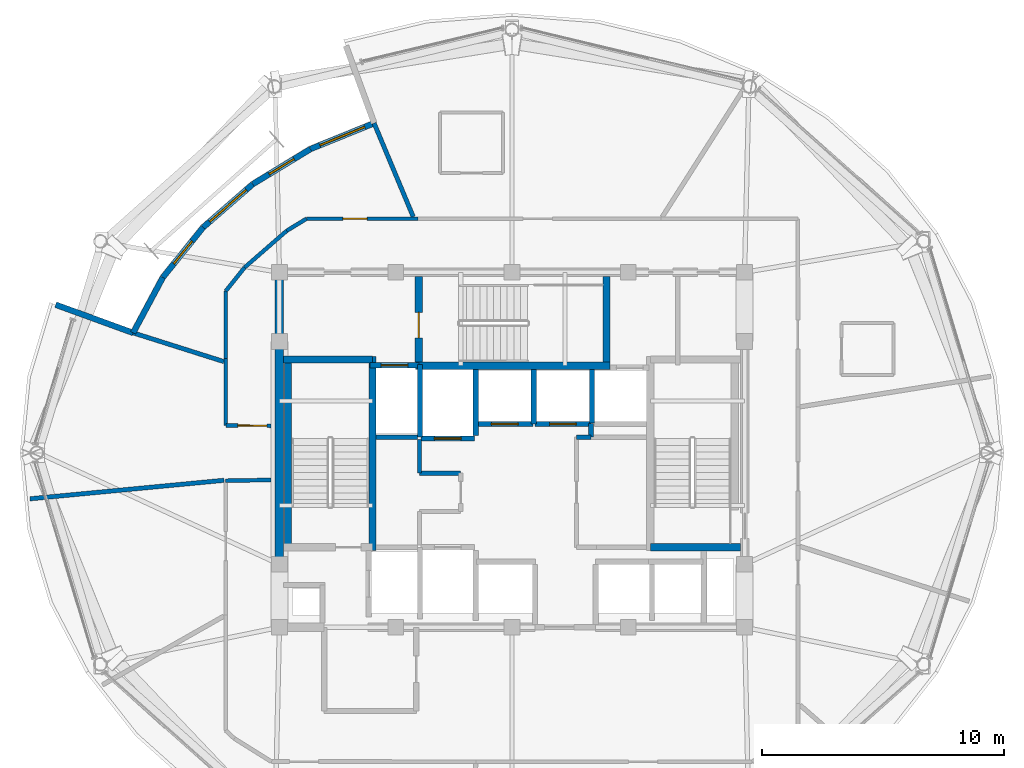
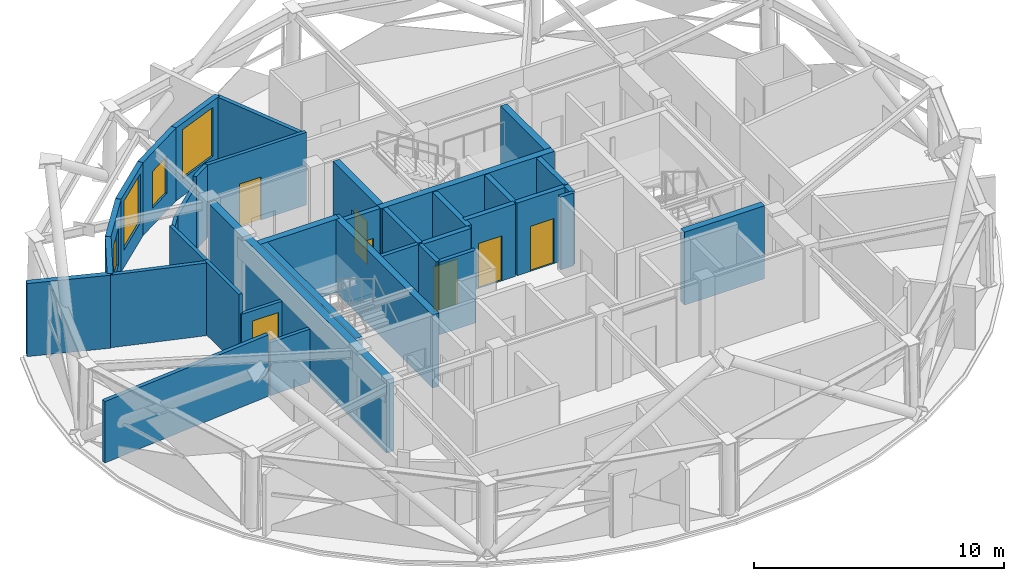
# One storey, part 9 of 15: 38 walls, 7 doors, 4 windows, 11 openings.
"""IFC4 building model written with IfcOpenShell, lengths in metres."""

from ifc_helpers import new_model, si_unit, direction, frame, frame_2d, origin, place, context, subcontext, project, spatial, rectangle, extrude, material, layer, layer_set, type_object, element, fill, save


model = new_model("IFC4")

# Units and contexts
model_context = context("Model", 3, precision=1e-05, world=origin(), true_north=direction((0.0, 1.0)))
body_context = subcontext(model_context, "Body", "Model", "MODEL_VIEW")
ifc_project = project(units=[si_unit("LENGTHUNIT", "METRE"), si_unit("AREAUNIT", "SQUARE_METRE"), si_unit("VOLUMEUNIT", "CUBIC_METRE"), si_unit("PLANEANGLEUNIT", "RADIAN"), si_unit("MASSUNIT", "GRAM", prefix="KILO")], contexts=[model_context])

# Site, building, storey
site_placement = place(None, origin())
site = spatial("IfcSite", under=ifc_project, at=site_placement, CompositionType="ELEMENT")
building_placement = place(site_placement, origin())
building = spatial("IfcBuilding", under=site, at=building_placement, Name="Vantalir Tower", CompositionType="ELEMENT")
storey_placement = place(building_placement, frame((0.0, 0.0, 275.10009765625)))
storey = spatial("IfcBuildingStorey", under=building, at=storey_placement, Name="L69", CompositionType="ELEMENT", Elevation=275.10009765625)

# Wall
ifc_material_1 = material(Name="Concrete C50/60", Category="concrete")
ifc_layer_1 = layer(ifc_material_1, 0.35009765625)
ifc_layer_set_1 = layer_set([ifc_layer_1], Name="Concrete C50/60")
wall_type_1 = type_object("IfcWallType", Name="WL-CORE-350", PredefinedType="SHEAR", material=ifc_layer_set_1)
wall_1_placement = place(storey_placement, frame((21.89990234375, 17.97509765625, 0.0), z_axis=(0.0, 0.0, 1.0), x_axis=(0.0, 1.0, 0.0)))
element("IfcWall", 1, at=wall_1_placement, inside=storey, type_object=wall_type_1, Name="L69 Core Shear Wall West", PredefinedType="SHEAR", context=body_context, shape_type="SweptSolid", body=[
    extrude(rectangle(XDim=14.2998046875, YDim=0.35009765625, at=frame_2d((7.14990234375, 0.0))), origin(), (0.0, 0.0, 1.0), 3.56982421875),
])

# Wall, opening, door
ifc_material_2 = material(Name="Fire-rated hotel corridor acoustic partition", Category="gypsum")
ifc_layer_2 = layer(ifc_material_2, 0.159912109375)
ifc_layer_set_2 = layer_set([ifc_layer_2], Name="Fire-rated hotel corridor acoustic partition")
wall_type_2 = type_object("IfcWallType", Name="WL-CORR-160", PredefinedType="PARTITIONING", material=ifc_layer_set_2)
wall_2_placement = place(storey_placement, frame((21.544921875, 26.115966796875, 0.0), z_axis=(0.0, 0.0, 1.0), x_axis=(-0.999947421001, 0.010254522592, 0.0)))
wall_2 = element("IfcWall", 2, at=wall_2_placement, inside=storey, type_object=wall_type_2, Name="L69 Corridor Partition 01", PredefinedType="PARTITIONING", context=body_context, shape_type="SweptSolid", body=[
    extrude(rectangle(XDim=1.85693359375, YDim=0.159912109375, at=frame_2d((0.928466796875, 0.0))), origin(), (0.0, 0.0, 1.0), 2.594970703125),
])
opening_1_placement = place(wall_2_placement, frame((0.159912109375, 0.0, 0.0)))
opening_1 = element("IfcOpeningElement", 3, at=opening_1_placement, cuts=wall_2, Name="Opening D-STE", PredefinedType="OPENING", context=body_context, shape_type="SweptSolid", body=[
    extrude(rectangle(XDim=1.199951171875, YDim=2.10009765625, at=frame_2d((0.60009765625, 1.050048828125))), frame((0.0, 0.08984375, 0.0), z_axis=(0.0, -1.0, 0.0), x_axis=(1.0, 0.0, 0.0)), (0.0, 0.0, 1.0), 0.179931640625),
])
ifc_material_3 = material(Name="Solid-core teak veneer suite entrance door", Category="wood")
door_type_1 = type_object("IfcDoorType", Name="DR-SUITE-ENTRY-1200", OperationType="NOTDEFINED", PredefinedType="DOOR", material=ifc_material_3)
door_1_placement = place(opening_1_placement, origin())
door_1 = element("IfcDoor", 4, at=door_1_placement, inside=storey, type_object=door_type_1, Name="L69 Club Reading Lounge 04 Door", OperationType="SINGLE_SWING_RIGHT", OverallHeight=2.10009765625, OverallWidth=1.199951171875, PredefinedType="DOOR", context=body_context, shape_type="SweptSolid", body=[
    extrude(rectangle(XDim=1.199951171875, YDim=2.10009765625, at=frame_2d((0.60009765625, 1.050048828125))), frame((0.0, 0.02490234375, 0.0), z_axis=(0.0, -1.0, 0.0), x_axis=(1.0, 0.0, 0.0)), (0.0, 0.0, 1.0), 0.050048828125),
])
fill(opening_1, door_1)

# Walls
wall_3_placement = place(storey_placement, frame((19.68798828125, 26.135009765625, 0.0), z_axis=(0.0, 0.0, 1.0), x_axis=(-0.000353325656, 0.99999993758, 0.0)))
element("IfcWall", 5, at=wall_3_placement, inside=storey, type_object=wall_type_2, Name="L69 Corridor Partition 02", PredefinedType="PARTITIONING", context=body_context, shape_type="SweptSolid", body=[
    extrude(rectangle(XDim=2.763916015625, YDim=0.159912109375, at=frame_2d((1.3818359375, 0.0))), origin(), (0.0, 0.0, 1.0), 3.5498046875),
])
wall_4_placement = place(storey_placement, frame((19.68701171875, 28.89892578125, 0.0), z_axis=(0.0, 0.0, 1.0), x_axis=(-0.00035164833, 0.999999938172, 0.0)))
element("IfcWall", 6, at=wall_4_placement, inside=storey, type_object=wall_type_2, Name="L69 Corridor Partition 03", PredefinedType="PARTITIONING", context=body_context, shape_type="SweptSolid", body=[
    extrude(rectangle(XDim=2.777099609375, YDim=0.159912109375, at=frame_2d((1.388671875, 0.0))), origin(), (0.0, 0.0, 1.0), 3.5498046875),
])
wall_5_placement = place(storey_placement, frame((19.68603515625, 31.676025390625, 0.0), z_axis=(0.0, 0.0, 1.0), x_axis=(0.623812554347, 0.781573986926, 0.0)))
element("IfcWall", 7, at=wall_5_placement, inside=storey, type_object=wall_type_2, Name="L69 Corridor Partition 04", PredefinedType="PARTITIONING", context=body_context, shape_type="SweptSolid", body=[
    extrude(rectangle(XDim=1.248779296875, YDim=0.159912109375, at=frame_2d((0.62451171875, 0.0))), origin(), (0.0, 0.0, 1.0), 3.1318359375),
])
wall_6_placement = place(storey_placement, frame((20.465087890625, 32.652099609375, 0.0), z_axis=(0.0, 0.0, 1.0), x_axis=(0.754005434477, 0.65686817915, 0.0)))
element("IfcWall", 8, at=wall_6_placement, inside=storey, type_object=wall_type_2, Name="L69 Corridor Partition 05", PredefinedType="PARTITIONING", context=body_context, shape_type="SweptSolid", body=[
    extrude(rectangle(XDim=2.3046875, YDim=0.159912109375, at=frame_2d((1.15234375, 0.0))), origin(), (0.0, 0.0, 1.0), 3.1318359375),
])
wall_7_placement = place(storey_placement, frame((22.202880859375, 34.166015625, 0.0), z_axis=(0.0, 0.0, 1.0), x_axis=(0.853971019055, 0.52032057293, 0.0)))
element("IfcWall", 9, at=wall_7_placement, inside=storey, type_object=wall_type_2, Name="L69 Corridor Partition 06", PredefinedType="PARTITIONING", context=body_context, shape_type="SweptSolid", body=[
    extrude(rectangle(XDim=0.953369140625, YDim=0.159912109375, at=frame_2d((0.4765625, 0.0))), origin(), (0.0, 0.0, 1.0), 3.5498046875),
])

# Wall, opening, door
wall_8_placement = place(storey_placement, frame((23.01708984375, 34.662109375, 0.0), z_axis=(0.0, 0.0, 1.0), x_axis=(1.0, 0.0, 0.0)))
wall_8 = element("IfcWall", 10, at=wall_8_placement, inside=storey, type_object=wall_type_2, Name="L69 Corridor Partition 07", PredefinedType="PARTITIONING", context=body_context, shape_type="SweptSolid", body=[
    extrude(rectangle(XDim=4.60498046875, YDim=0.159912109375, at=frame_2d((2.302490234375, 0.0))), origin(), (0.0, 0.0, 1.0), 3.5498046875),
])
opening_2_placement = place(wall_8_placement, frame((1.50390625, 0.0, 0.0)))
opening_2 = element("IfcOpeningElement", 11, at=opening_2_placement, cuts=wall_8, Name="Opening D-GUEST", PredefinedType="OPENING", context=body_context, shape_type="SweptSolid", body=[
    extrude(rectangle(XDim=1.0, YDim=2.10009765625, at=frame_2d((0.5, 1.050048828125))), frame((0.0, 0.08984375, 0.0), z_axis=(0.0, -1.0, 0.0), x_axis=(1.0, 0.0, 0.0)), (0.0, 0.0, 1.0), 0.179931640625),
])
ifc_material_4 = material(Name="Solid-core teak veneer acoustic fire door", Category="wood")
door_type_2 = type_object("IfcDoorType", Name="DR-GUEST-ENTRY-1000", OperationType="NOTDEFINED", PredefinedType="DOOR", material=ifc_material_4)
door_2_placement = place(opening_2_placement, origin())
door_2 = element("IfcDoor", 12, at=door_2_placement, inside=storey, type_object=door_type_2, Name="L69 Sky Garden Conservatory Lounge 03 Door", OperationType="SINGLE_SWING_LEFT", OverallHeight=2.10009765625, OverallWidth=1.0, PredefinedType="DOOR", context=body_context, shape_type="SweptSolid", body=[
    extrude(rectangle(XDim=1.0, YDim=2.10009765625, at=frame_2d((0.5, 1.050048828125))), frame((0.0, 0.02490234375, 0.0), z_axis=(0.0, -1.0, 0.0), x_axis=(1.0, 0.0, 0.0)), (0.0, 0.0, 1.0), 0.050048828125),
])
fill(opening_2, door_2)

# Walls
wall_9_placement = place(storey_placement, frame((19.68505859375, 23.85009765625, 0.0), z_axis=(0.0, 0.0, 1.0), x_axis=(0.999852179606, 0.017193572529, 0.0)))
element("IfcWall", 13, at=wall_9_placement, inside=storey, type_object=wall_type_2, Name="L69 Corridor Partition 22", PredefinedType="PARTITIONING", context=body_context, shape_type="SweptSolid", body=[
    extrude(rectangle(XDim=1.860107421875, YDim=0.159912109375, at=frame_2d((0.93017578125, 0.0))), origin(), (0.0, 0.0, 1.0), 2.594970703125),
])
ifc_material_5 = material(Name="Precast concrete C40/50 insulated sky-garden wall", Category="concrete")
ifc_layer_3 = layer(ifc_material_5, 0.239990234375)
ifc_layer_set_3 = layer_set([ifc_layer_3], Name="Precast concrete C40/50 insulated sky-garden wall")
wall_type_3 = type_object("IfcWallType", Name="WL-EXT-SG-240", PredefinedType="SOLIDWALL", material=ifc_layer_set_3)
wall_10_placement = place(storey_placement, frame((15.864013671875, 29.951904296875, 0.0), z_axis=(0.0, 0.0, 1.0), x_axis=(-0.939675968745, 0.342065890968, 0.0)))
element("IfcWall", 14, at=wall_10_placement, inside=storey, type_object=wall_type_3, Name="L69 SG4 Sky-Garden Return Wall B", PredefinedType="SOLIDWALL", context=body_context, shape_type="SweptSolid", body=[
    extrude(rectangle(XDim=3.400146484375, YDim=0.239990234375, at=frame_2d((1.7001953125, 0.0))), origin(), (0.0, 0.0, 1.0), 3.56982421875),
])

# Wall, opening, window
wall_11_placement = place(storey_placement, frame((25.80908203125, 38.60498046875, 0.0), z_axis=(0.0, 0.0, 1.0), x_axis=(-0.926613712396, -0.376014664608, 0.0)))
wall_11 = element("IfcWall", 15, at=wall_11_placement, inside=storey, type_object=wall_type_3, Name="L69 SG4 Sky-Garden Lounge Wall 1", PredefinedType="SOLIDWALL", context=body_context, shape_type="SweptSolid", body=[
    extrude(rectangle(XDim=2.83740234375, YDim=0.239990234375, at=frame_2d((1.418701171875, 0.0))), origin(), (0.0, 0.0, 1.0), 3.56982421875),
])
opening_3_placement = place(wall_11_placement, frame((0.4189453125, 0.0, 0.85009765625)))
opening_3 = element("IfcOpeningElement", 16, at=opening_3_placement, cuts=wall_11, Name="Opening WN-3", PredefinedType="OPENING", context=body_context, shape_type="SweptSolid", body=[
    extrude(rectangle(XDim=2.0, YDim=2.39990234375, at=frame_2d((1.0, 1.199951171875))), frame((0.0, 0.1298828125, 0.0), z_axis=(0.0, -1.0, 0.0), x_axis=(1.0, 0.0, 0.0)), (0.0, 0.0, 1.0), 0.260009765625),
])
ifc_material_6 = material(Name="Double-silver Low-E sky-garden lounge window", Category="glass")
window_type_1 = type_object("IfcWindowType", Name="WIN-SG-2000x2400", PartitioningType="SINGLE_PANEL", PredefinedType="WINDOW", material=ifc_material_6)
window_1_placement = place(opening_3_placement, origin())
window_1 = element("IfcWindow", 17, at=window_1_placement, inside=storey, type_object=window_type_1, Name="L69 SG4 Sky-Garden Window 1", OverallHeight=2.39990234375, OverallWidth=2.0, PartitioningType="SINGLE_PANEL", PredefinedType="WINDOW", context=body_context, shape_type="SweptSolid", body=[
    extrude(rectangle(XDim=2.0, YDim=2.39990234375, at=frame_2d((1.0, 1.199951171875))), frame((0.0, 0.030029296875, 0.0), z_axis=(0.0, -1.0, 0.0), x_axis=(1.0, 0.0, 0.0)), (0.0, 0.0, 1.0), 0.06005859375),
])
fill(opening_3, window_1)

wall_12_placement = place(storey_placement, frame((23.179931640625, 37.5380859375, 0.0), z_axis=(0.0, 0.0, 1.0), x_axis=(-0.854074820895, -0.520150170925, 0.0)))
wall_12 = element("IfcWall", 18, at=wall_12_placement, inside=storey, type_object=wall_type_3, Name="L69 SG4 Sky-Garden Lounge Wall 2", PredefinedType="SOLIDWALL", context=body_context, shape_type="SweptSolid", body=[
    extrude(rectangle(XDim=2.781982421875, YDim=0.239990234375, at=frame_2d((1.39111328125, 0.0))), origin(), (0.0, 0.0, 1.0), 3.56982421875),
])
opening_4_placement = place(wall_12_placement, frame((0.791015625, 0.0, 0.85009765625)))
opening_4 = element("IfcOpeningElement", 19, at=opening_4_placement, cuts=wall_12, Name="Opening WN-4", PredefinedType="OPENING", context=body_context, shape_type="SweptSolid", body=[
    extrude(rectangle(XDim=1.199951171875, YDim=1.800048828125, at=frame_2d((0.60009765625, 0.89990234375))), frame((0.0, 0.1298828125, 0.0), z_axis=(0.0, -1.0, 0.0), x_axis=(1.0, 0.0, 0.0)), (0.0, 0.0, 1.0), 0.260009765625),
])
ifc_material_7 = material(Name="Operable smoke-vent Low-E window", Category="glass")
window_type_2 = type_object("IfcWindowType", Name="WIN-SG-1200x1800", PartitioningType="SINGLE_PANEL", PredefinedType="WINDOW", material=ifc_material_7)
window_2_placement = place(opening_4_placement, origin())
window_2 = element("IfcWindow", 20, at=window_2_placement, inside=storey, type_object=window_type_2, Name="L69 SG4 Sky-Garden Window 2", OverallHeight=1.800048828125, OverallWidth=1.199951171875, PartitioningType="SINGLE_PANEL", PredefinedType="WINDOW", context=body_context, shape_type="SweptSolid", body=[
    extrude(rectangle(XDim=1.199951171875, YDim=1.800048828125, at=frame_2d((0.60009765625, 0.89990234375))), frame((0.0, 0.030029296875, 0.0), z_axis=(0.0, -1.0, 0.0), x_axis=(1.0, 0.0, 0.0)), (0.0, 0.0, 1.0), 0.06005859375),
])
fill(opening_4, window_2)

wall_13_placement = place(storey_placement, frame((20.803955078125, 36.091064453125, 0.0), z_axis=(0.0, 0.0, 1.0), x_axis=(-0.754303896014, -0.656525424075, 0.0)))
wall_13 = element("IfcWall", 21, at=wall_13_placement, inside=storey, type_object=wall_type_3, Name="L69 SG4 Sky-Garden Lounge Wall 3", PredefinedType="SOLIDWALL", context=body_context, shape_type="SweptSolid", body=[
    extrude(rectangle(XDim=2.718994140625, YDim=0.239990234375, at=frame_2d((1.359375, 0.0))), origin(), (0.0, 0.0, 1.0), 3.56982421875),
])
opening_5_placement = place(wall_13_placement, frame((0.35888671875, 0.0, 0.85009765625)))
opening_5 = element("IfcOpeningElement", 22, at=opening_5_placement, cuts=wall_13, Name="Opening WN-3", PredefinedType="OPENING", context=body_context, shape_type="SweptSolid", body=[
    extrude(rectangle(XDim=2.0, YDim=2.39990234375, at=frame_2d((1.0, 1.199951171875))), frame((0.0, 0.1298828125, 0.0), z_axis=(0.0, -1.0, 0.0), x_axis=(1.0, 0.0, 0.0)), (0.0, 0.0, 1.0), 0.260009765625),
])
window_3_placement = place(opening_5_placement, origin())
window_3 = element("IfcWindow", 23, at=window_3_placement, inside=storey, type_object=window_type_1, Name="L69 SG4 Sky-Garden Window 3", OverallHeight=2.39990234375, OverallWidth=2.0, PartitioningType="SINGLE_PANEL", PredefinedType="WINDOW", context=body_context, shape_type="SweptSolid", body=[
    extrude(rectangle(XDim=2.0, YDim=2.39990234375, at=frame_2d((1.0, 1.199951171875))), frame((0.0, 0.030029296875, 0.0), z_axis=(0.0, -1.0, 0.0), x_axis=(1.0, 0.0, 0.0)), (0.0, 0.0, 1.0), 0.06005859375),
])
fill(opening_5, window_3)

wall_14_placement = place(storey_placement, frame((18.7529296875, 34.305908203125, 0.0), z_axis=(0.0, 0.0, 1.0), x_axis=(-0.627059794428, -0.778971125403, 0.0)))
wall_14 = element("IfcWall", 24, at=wall_14_placement, inside=storey, type_object=wall_type_3, Name="L69 SG4 Sky-Garden Lounge Wall 4", PredefinedType="SOLIDWALL", context=body_context, shape_type="SweptSolid", body=[
    extrude(rectangle(XDim=2.6533203125, YDim=0.239990234375, at=frame_2d((1.32666015625, 0.0))), origin(), (0.0, 0.0, 1.0), 3.56982421875),
])
opening_6_placement = place(wall_14_placement, frame((0.72705078125, 0.0, 0.85009765625)))
opening_6 = element("IfcOpeningElement", 25, at=opening_6_placement, cuts=wall_14, Name="Opening WN-4", PredefinedType="OPENING", context=body_context, shape_type="SweptSolid", body=[
    extrude(rectangle(XDim=1.199951171875, YDim=1.800048828125, at=frame_2d((0.60009765625, 0.89990234375))), frame((0.0, 0.1298828125, 0.0), z_axis=(0.0, -1.0, 0.0), x_axis=(1.0, 0.0, 0.0)), (0.0, 0.0, 1.0), 0.260009765625),
])
window_4_placement = place(opening_6_placement, origin())
window_4 = element("IfcWindow", 26, at=window_4_placement, inside=storey, type_object=window_type_2, Name="L69 SG4 Sky-Garden Window 4", OverallHeight=1.800048828125, OverallWidth=1.199951171875, PartitioningType="SINGLE_PANEL", PredefinedType="WINDOW", context=body_context, shape_type="SweptSolid", body=[
    extrude(rectangle(XDim=1.199951171875, YDim=1.800048828125, at=frame_2d((0.60009765625, 0.89990234375))), frame((0.0, 0.030029296875, 0.0), z_axis=(0.0, -1.0, 0.0), x_axis=(1.0, 0.0, 0.0)), (0.0, 0.0, 1.0), 0.06005859375),
])
fill(opening_6, window_4)

# Walls
wall_15_placement = place(storey_placement, frame((17.089111328125, 32.239013671875, 0.0), z_axis=(0.0, 0.0, 1.0), x_axis=(-0.472179632466, -0.881502350924, 0.0)))
element("IfcWall", 27, at=wall_15_placement, inside=storey, type_object=wall_type_3, Name="L69 SG4 Sky-Garden Lounge Wall 5", PredefinedType="SOLIDWALL", context=body_context, shape_type="SweptSolid", body=[
    extrude(rectangle(XDim=2.594482421875, YDim=0.239990234375, at=frame_2d((1.29736328125, 0.0))), origin(), (0.0, 0.0, 1.0), 3.56982421875),
])
ifc_material_8 = material(Name="Concrete blockwork with fireboard lining", Category="masonry")
ifc_layer_4 = layer(ifc_material_8, 0.219970703125)
ifc_layer_set_4 = layer_set([ifc_layer_4], Name="Concrete blockwork with fireboard lining")
wall_type_4 = type_object("IfcWallType", Name="WL-FFL-220", PredefinedType="PARTITIONING", material=ifc_layer_set_4)
wall_16_placement = place(storey_placement, frame((30.0, 25.7099609375, 0.0), z_axis=(0.0, 0.0, 1.0), x_axis=(0.0, 1.0, 0.0)))
element("IfcWall", 28, at=wall_16_placement, inside=storey, type_object=wall_type_4, Name="L69 Service Lift SV2 East Shaft Wall", PredefinedType="PARTITIONING", context=body_context, shape_type="SweptSolid", body=[
    extrude(rectangle(XDim=2.72998046875, YDim=0.219970703125, at=frame_2d((1.364990234375, 0.0))), origin(), (0.0, 0.0, 1.0), 3.544921875),
])
wall_17_placement = place(storey_placement, frame((32.39990234375, 26.199951171875, 0.0), z_axis=(0.0, 0.0, 1.0), x_axis=(0.0, 1.0, 0.0)))
element("IfcWall", 29, at=wall_17_placement, inside=storey, type_object=wall_type_4, Name="L69 High-Rise Lift PL-H1/H2 Shaft Divider", PredefinedType="PARTITIONING", context=body_context, shape_type="SweptSolid", body=[
    extrude(rectangle(XDim=2.239990234375, YDim=0.219970703125, at=frame_2d((1.1201171875, 0.0))), origin(), (0.0, 0.0, 1.0), 3.544921875),
])
wall_18_placement = place(storey_placement, frame((34.800048828125, 26.22998046875, 0.0), z_axis=(0.0, 0.0, 1.0), x_axis=(0.0, 1.0, 0.0)))
element("IfcWall", 30, at=wall_18_placement, inside=storey, type_object=wall_type_4, Name="L69 High-Rise Lift PL-H2/H3 Shaft Divider", PredefinedType="PARTITIONING", context=body_context, shape_type="SweptSolid", body=[
    extrude(rectangle(XDim=2.2099609375, YDim=0.219970703125, at=frame_2d((1.10498046875, 0.0))), origin(), (0.0, 0.0, 1.0), 3.544921875),
])

# Wall, opening, door
wall_19_placement = place(storey_placement, frame((25.639892578125, 28.610107421875, 0.0), z_axis=(0.0, 0.0, 1.0), x_axis=(1.0, 0.0, 0.0)))
wall_19 = element("IfcWall", 31, at=wall_19_placement, inside=storey, type_object=wall_type_4, Name="L69 Lift FL2 Shaft Front Wall", PredefinedType="PARTITIONING", context=body_context, shape_type="SweptSolid", body=[
    extrude(rectangle(XDim=2.02001953125, YDim=0.219970703125, at=frame_2d((1.010009765625, 0.0))), origin(), (0.0, 0.0, 1.0), 3.5498046875),
])
opening_7_placement = place(wall_19_placement, frame((0.4599609375, 0.0, 0.0)))
opening_7 = element("IfcOpeningElement", 32, at=opening_7_placement, cuts=wall_19, Name="Opening LD-FL2", PredefinedType="OPENING", context=body_context, shape_type="SweptSolid", body=[
    extrude(rectangle(XDim=1.10009765625, YDim=2.199951171875, at=frame_2d((0.550048828125, 1.10009765625))), frame((0.0, 0.119873046875, 0.0), z_axis=(0.0, -1.0, 0.0), x_axis=(1.0, 0.0, 0.0)), (0.0, 0.0, 1.0), 0.239990234375),
])
ifc_material_9 = material(Name="Brushed stainless-steel sliding lift landing door", Category="steel")
door_type_3 = type_object("IfcDoorType", Name="DR-LIFT-LANDING-1100", OperationType="DOUBLE_DOOR_SLIDING", PredefinedType="DOOR", material=ifc_material_9)
door_3_placement = place(opening_7_placement, origin())
door_3 = element("IfcDoor", 33, at=door_3_placement, inside=storey, type_object=door_type_3, Name="L69 Lift Landing Door FL2", OperationType="DOUBLE_DOOR_SLIDING", OverallHeight=2.199951171875, OverallWidth=1.10009765625, PredefinedType="DOOR", context=body_context, shape_type="SweptSolid", body=[
    extrude(rectangle(XDim=1.10009765625, YDim=2.199951171875, at=frame_2d((0.550048828125, 1.10009765625))), frame((0.0, 0.02490234375, 0.0), z_axis=(0.0, -1.0, 0.0), x_axis=(1.0, 0.0, 0.0)), (0.0, 0.0, 1.0), 0.050048828125),
])
fill(opening_7, door_3)

wall_20_placement = place(storey_placement, frame((27.739990234375, 25.590087890625, 0.0), z_axis=(0.0, 0.0, 1.0), x_axis=(1.0, 0.0, 0.0)))
wall_20 = element("IfcWall", 34, at=wall_20_placement, inside=storey, type_object=wall_type_4, Name="L69 Lift SV2 Shaft Front Wall", PredefinedType="PARTITIONING", context=body_context, shape_type="SweptSolid", body=[
    extrude(rectangle(XDim=2.219970703125, YDim=0.219970703125, at=frame_2d((1.10986328125, 0.0))), origin(), (0.0, 0.0, 1.0), 3.5498046875),
])
opening_8_placement = place(wall_20_placement, frame((0.56005859375, 0.0, 0.0)))
opening_8 = element("IfcOpeningElement", 35, at=opening_8_placement, cuts=wall_20, Name="Opening LD-SV2", PredefinedType="OPENING", context=body_context, shape_type="SweptSolid", body=[
    extrude(rectangle(XDim=1.10009765625, YDim=2.199951171875, at=frame_2d((0.550048828125, 1.10009765625))), frame((0.0, 0.119873046875, 0.0), z_axis=(0.0, -1.0, 0.0), x_axis=(1.0, 0.0, 0.0)), (0.0, 0.0, 1.0), 0.239990234375),
])
door_4_placement = place(opening_8_placement, frame((1.10009765625, 0.0, 0.0), z_axis=(0.0, 0.0, 1.0), x_axis=(-1.0, 0.0, 0.0)))
door_4 = element("IfcDoor", 36, at=door_4_placement, inside=storey, type_object=door_type_3, Name="L69 Lift Landing Door SV2", OperationType="DOUBLE_DOOR_SLIDING", OverallHeight=2.199951171875, OverallWidth=1.10009765625, PredefinedType="DOOR", context=body_context, shape_type="SweptSolid", body=[
    extrude(rectangle(XDim=1.10009765625, YDim=2.199951171875, at=frame_2d((0.550048828125, 1.10009765625))), frame((0.0, 0.02490234375, 0.0), z_axis=(0.0, -1.0, 0.0), x_axis=(1.0, 0.0, 0.0)), (0.0, 0.0, 1.0), 0.050048828125),
])
fill(opening_8, door_4)

wall_21_placement = place(storey_placement, frame((30.0400390625, 26.18994140625, 0.0), z_axis=(0.0, 0.0, 1.0), x_axis=(1.0, 0.0, 0.0)))
wall_21 = element("IfcWall", 37, at=wall_21_placement, inside=storey, type_object=wall_type_4, Name="L69 Lift PL-H1 Shaft Front Wall", PredefinedType="PARTITIONING", context=body_context, shape_type="SweptSolid", body=[
    extrude(rectangle(XDim=2.320068359375, YDim=0.219970703125, at=frame_2d((1.16015625, 0.0))), origin(), (0.0, 0.0, 1.0), 3.5498046875),
])
opening_9_placement = place(wall_21_placement, frame((0.610107421875, 0.0, 0.0)))
opening_9 = element("IfcOpeningElement", 38, at=opening_9_placement, cuts=wall_21, Name="Opening LD-PL-H1", PredefinedType="OPENING", context=body_context, shape_type="SweptSolid", body=[
    extrude(rectangle(XDim=1.10009765625, YDim=2.199951171875, at=frame_2d((0.550048828125, 1.10009765625))), frame((0.0, 0.119873046875, 0.0), z_axis=(0.0, -1.0, 0.0), x_axis=(1.0, 0.0, 0.0)), (0.0, 0.0, 1.0), 0.239990234375),
])
door_5_placement = place(opening_9_placement, frame((1.10009765625, 0.0, 0.0), z_axis=(0.0, 0.0, 1.0), x_axis=(-1.0, 0.0, 0.0)))
door_5 = element("IfcDoor", 39, at=door_5_placement, inside=storey, type_object=door_type_3, Name="L69 Lift Landing Door PL-H1", OperationType="DOUBLE_DOOR_SLIDING", OverallHeight=2.199951171875, OverallWidth=1.10009765625, PredefinedType="DOOR", context=body_context, shape_type="SweptSolid", body=[
    extrude(rectangle(XDim=1.10009765625, YDim=2.199951171875, at=frame_2d((0.550048828125, 1.10009765625))), frame((0.0, 0.02490234375, 0.0), z_axis=(0.0, -1.0, 0.0), x_axis=(1.0, 0.0, 0.0)), (0.0, 0.0, 1.0), 0.050048828125),
])
fill(opening_9, door_5)

wall_22_placement = place(storey_placement, frame((32.43994140625, 26.18994140625, 0.0), z_axis=(0.0, 0.0, 1.0), x_axis=(1.0, 0.0, 0.0)))
wall_22 = element("IfcWall", 40, at=wall_22_placement, inside=storey, type_object=wall_type_4, Name="L69 Lift PL-H2 Shaft Front Wall", PredefinedType="PARTITIONING", context=body_context, shape_type="SweptSolid", body=[
    extrude(rectangle(XDim=2.320068359375, YDim=0.219970703125, at=frame_2d((1.16015625, 0.0))), origin(), (0.0, 0.0, 1.0), 3.5498046875),
])
opening_10_placement = place(wall_22_placement, frame((0.610107421875, 0.0, 0.0)))
opening_10 = element("IfcOpeningElement", 41, at=opening_10_placement, cuts=wall_22, Name="Opening LD-PL-H2", PredefinedType="OPENING", context=body_context, shape_type="SweptSolid", body=[
    extrude(rectangle(XDim=1.10009765625, YDim=2.199951171875, at=frame_2d((0.550048828125, 1.10009765625))), frame((0.0, 0.119873046875, 0.0), z_axis=(0.0, -1.0, 0.0), x_axis=(1.0, 0.0, 0.0)), (0.0, 0.0, 1.0), 0.239990234375),
])
door_6_placement = place(opening_10_placement, frame((1.10009765625, 0.0, 0.0), z_axis=(0.0, 0.0, 1.0), x_axis=(-1.0, 0.0, 0.0)))
door_6 = element("IfcDoor", 42, at=door_6_placement, inside=storey, type_object=door_type_3, Name="L69 Lift Landing Door PL-H2", OperationType="DOUBLE_DOOR_SLIDING", OverallHeight=2.199951171875, OverallWidth=1.10009765625, PredefinedType="DOOR", context=body_context, shape_type="SweptSolid", body=[
    extrude(rectangle(XDim=1.10009765625, YDim=2.199951171875, at=frame_2d((0.550048828125, 1.10009765625))), frame((0.0, 0.02490234375, 0.0), z_axis=(0.0, -1.0, 0.0), x_axis=(1.0, 0.0, 0.0)), (0.0, 0.0, 1.0), 0.050048828125),
])
fill(opening_10, door_6)

# Walls
wall_23_placement = place(storey_placement, frame((27.699951171875, 25.64990234375, 0.0), z_axis=(0.0, 0.0, 1.0), x_axis=(0.0, 1.0, 0.0)))
element("IfcWall", 43, at=wall_23_placement, inside=storey, type_object=wall_type_4, Name="L69 Fire Lift FL2 Dividing Wall", PredefinedType="PARTITIONING", context=body_context, shape_type="SweptSolid", body=[
    extrude(rectangle(XDim=3.0, YDim=0.219970703125, at=frame_2d((1.5, 0.0))), origin(), (0.0, 0.0, 1.0), 3.5498046875),
])
wall_24_placement = place(storey_placement, frame((34.760009765625, 25.64990234375, 0.0), z_axis=(0.0, 0.0, 1.0), x_axis=(0.0, 1.0, 0.0)))
element("IfcWall", 44, at=wall_24_placement, inside=storey, type_object=wall_type_4, Name="L69 High-Rise Shaft Shoulder Wall", PredefinedType="PARTITIONING", context=body_context, shape_type="SweptSolid", body=[
    extrude(rectangle(XDim=0.570068359375, YDim=0.219970703125, at=frame_2d((0.28515625, 0.0))), origin(), (0.0, 0.0, 1.0), 3.5498046875),
])
ifc_material_10 = material(Name="Twin-stud acoustic fire-rated gypsum partition", Category="gypsum")
ifc_layer_5 = layer(ifc_material_10, 0.179931640625)
ifc_layer_set_5 = layer_set([ifc_layer_5], Name="Twin-stud acoustic fire-rated gypsum partition")
wall_type_5 = type_object("IfcWallType", Name="WL-GUEST-180", PredefinedType="PARTITIONING", material=ifc_layer_set_5)
wall_25_placement = place(storey_placement, frame((25.889892578125, 25.64990234375, 0.0), z_axis=(0.0, 0.0, 1.0), x_axis=(1.0, 0.0, 0.0)))
element("IfcWall", 45, at=wall_25_placement, inside=storey, type_object=wall_type_5, Name="L69 Freed West Core North Wall", PredefinedType="PARTITIONING", context=body_context, shape_type="SweptSolid", body=[
    extrude(rectangle(XDim=1.7001953125, YDim=0.179931640625, at=frame_2d((0.85009765625, 0.0))), origin(), (0.0, 0.0, 1.0), 3.5498046875),
])
wall_26_placement = place(storey_placement, frame((27.679931640625, 24.159912109375, 0.0), z_axis=(0.0, 0.0, 1.0), x_axis=(1.0, 0.0, 0.0)))
element("IfcWall", 46, at=wall_26_placement, inside=storey, type_object=wall_type_5, Name="L69 West IT Room Alcove North Wall", PredefinedType="PARTITIONING", context=body_context, shape_type="SweptSolid", body=[
    extrude(rectangle(XDim=1.699951171875, YDim=0.179931640625, at=frame_2d((0.85009765625, 0.0))), origin(), (0.0, 0.0, 1.0), 3.5498046875),
])
wall_27_placement = place(storey_placement, frame((27.679931640625, 24.159912109375, 0.0), z_axis=(0.0, 0.0, 1.0), x_axis=(0.0, 1.0, 0.0)))
element("IfcWall", 47, at=wall_27_placement, inside=storey, type_object=wall_type_5, Name="L69 West IT Room Upper East Wall", PredefinedType="PARTITIONING", context=body_context, shape_type="SweptSolid", body=[
    extrude(rectangle(XDim=1.400146484375, YDim=0.179931640625, at=frame_2d((0.7001953125, 0.0))), origin(), (0.0, 0.0, 1.0), 3.5498046875),
])
wall_28_placement = place(storey_placement, frame((34.159912109375, 25.64990234375, 0.0), z_axis=(0.0, 0.0, 1.0), x_axis=(1.0, 0.0, 0.0)))
element("IfcWall", 48, at=wall_28_placement, inside=storey, type_object=wall_type_5, Name="L69 East IT Room North Return", PredefinedType="PARTITIONING", context=body_context, shape_type="SweptSolid", body=[
    extrude(rectangle(XDim=0.60009765625, YDim=0.179931640625, at=frame_2d((0.300048828125, 0.0))), origin(), (0.0, 0.0, 1.0), 3.5498046875),
])
wall_29_placement = place(storey_placement, frame((27.426025390625, 34.739990234375, 0.0), z_axis=(0.0, 0.0, 1.0), x_axis=(-0.385943200944, 0.92252254479, 0.0)))
element("IfcWall", 49, at=wall_29_placement, inside=storey, type_object=wall_type_5, Name="L69 Radial Suite Partition 03", PredefinedType="PARTITIONING", context=body_context, shape_type="SweptSolid", body=[
    extrude(rectangle(XDim=4.189697265625, YDim=0.179931640625, at=frame_2d((2.0947265625, 0.0))), origin(), (0.0, 0.0, 1.0), 3.5498046875),
])
wall_30_placement = place(storey_placement, frame((19.610107421875, 28.76611328125, 0.0), z_axis=(0.0, 0.0, 1.0), x_axis=(-0.953376791754, 0.301782525909, 0.0)))
element("IfcWall", 50, at=wall_30_placement, inside=storey, type_object=wall_type_5, Name="L69 Radial Suite Partition 04", PredefinedType="PARTITIONING", context=body_context, shape_type="SweptSolid", body=[
    extrude(rectangle(XDim=3.92919921875, YDim=0.179931640625, at=frame_2d((1.964599609375, 0.0))), origin(), (0.0, 0.0, 1.0), 3.5498046875),
])
wall_31_placement = place(storey_placement, frame((19.611083984375, 23.866943359375, 0.0), z_axis=(0.0, 0.0, 1.0), x_axis=(-0.995489057096, -0.094876431225, 0.0)))
element("IfcWall", 51, at=wall_31_placement, inside=storey, type_object=wall_type_5, Name="L69 Radial Suite Partition 05", PredefinedType="PARTITIONING", context=body_context, shape_type="SweptSolid", body=[
    extrude(rectangle(XDim=8.04150390625, YDim=0.179931640625, at=frame_2d((4.020751953125, 0.0))), origin(), (0.0, 0.0, 1.0), 3.0029296875),
])
ifc_layer_6 = layer(ifc_material_1, 0.300048828125)
ifc_layer_set_6 = layer_set([ifc_layer_6], Name="Concrete C50/60")
wall_type_6 = type_object("IfcWallType", Name="WL-STAIR-300", PredefinedType="SHEAR", material=ifc_layer_set_6)
wall_32_placement = place(storey_placement, frame((22.074951171875, 28.85009765625, 0.0), z_axis=(0.0, 0.0, 1.0), x_axis=(1.0, 0.0, 0.0)))
element("IfcWall", 52, at=wall_32_placement, inside=storey, type_object=wall_type_6, Name="L69 Stair ST1 North Wall", PredefinedType="SHEAR", context=body_context, shape_type="SweptSolid", body=[
    extrude(rectangle(XDim=3.6650390625, YDim=0.300048828125, at=frame_2d((1.83251953125, 0.0))), origin(), (0.0, 0.0, 1.0), 3.56982421875),
])
wall_33_placement = place(storey_placement, frame((25.739990234375, 20.97998046875, 0.0), z_axis=(0.0, 0.0, 1.0), x_axis=(0.0, 1.0, 0.0)))
element("IfcWall", 53, at=wall_33_placement, inside=storey, type_object=wall_type_6, Name="L69 Stair ST1 East Wall", PredefinedType="SHEAR", context=body_context, shape_type="SweptSolid", body=[
    extrude(rectangle(XDim=7.989990234375, YDim=0.300048828125, at=frame_2d((3.9951171875, 0.0))), origin(), (0.0, 0.0, 1.0), 3.56982421875),
])
wall_34_placement = place(storey_placement, frame((22.260009765625, 21.10009765625, 0.0), z_axis=(0.0, 0.0, 1.0), x_axis=(0.0, 1.0, 0.0)))
element("IfcWall", 54, at=wall_34_placement, inside=storey, type_object=wall_type_6, Name="L69 Stair ST1 West Liner Wall", PredefinedType="SHEAR", context=body_context, shape_type="SweptSolid", body=[
    extrude(rectangle(XDim=7.75, YDim=0.300048828125, at=frame_2d((3.875, 0.0))), origin(), (0.0, 0.0, 1.0), 3.56982421875),
])
wall_35_placement = place(storey_placement, frame((37.2099609375, 21.10009765625, 0.0), z_axis=(0.0, 0.0, 1.0), x_axis=(1.0, 0.0, 0.0)))
element("IfcWall", 55, at=wall_35_placement, inside=storey, type_object=wall_type_6, Name="L69 Stair ST2 South Wall", PredefinedType="SHEAR", context=body_context, shape_type="SweptSolid", body=[
    extrude(rectangle(XDim=3.715087890625, YDim=0.300048828125, at=frame_2d((1.857421875, 0.0))), origin(), (0.0, 0.0, 1.0), 3.56982421875),
])
wall_36_placement = place(storey_placement, frame((27.510009765625, 28.60009765625, 0.0), z_axis=(0.0, 0.0, 1.0), x_axis=(1.0, 0.0, 0.0)))
element("IfcWall", 56, at=wall_36_placement, inside=storey, type_object=wall_type_6, Name="L69 Stair ST3 South Wall", PredefinedType="SHEAR", context=body_context, shape_type="SweptSolid", body=[
    extrude(rectangle(XDim=8.030029296875, YDim=0.300048828125, at=frame_2d((4.01513671875, 0.0))), origin(), (0.0, 0.0, 1.0), 3.56982421875),
])

# Wall, opening, door
wall_37_placement = place(storey_placement, frame((27.64990234375, 28.75, 0.0), z_axis=(0.0, 0.0, 1.0), x_axis=(0.0, 1.0, 0.0)))
wall_37 = element("IfcWall", 57, at=wall_37_placement, inside=storey, type_object=wall_type_6, Name="L69 Stair ST3 West Wall", PredefinedType="SHEAR", context=body_context, shape_type="SweptSolid", body=[
    extrude(rectangle(XDim=3.52490234375, YDim=0.300048828125, at=frame_2d((1.762451171875, 0.0))), origin(), (0.0, 0.0, 1.0), 3.56982421875),
])
opening_11_placement = place(wall_37_placement, frame((1.0, 0.0, 0.0)))
opening_11 = element("IfcOpeningElement", 58, at=opening_11_placement, cuts=wall_37, Name="Opening D-ST", PredefinedType="OPENING", context=body_context, shape_type="SweptSolid", body=[
    extrude(rectangle(XDim=1.050048828125, YDim=2.10009765625, at=frame_2d((0.52490234375, 1.050048828125))), frame((0.0, 0.159912109375, 0.0), z_axis=(0.0, -1.0, 0.0), x_axis=(1.0, 0.0, 0.0)), (0.0, 0.0, 1.0), 0.320068359375),
])
ifc_material_11 = material(Name="Fire-rated steel door leaf", Category="steel")
door_type_4 = type_object("IfcDoorType", Name="DR-FIRE-STAIR-1050", OperationType="NOTDEFINED", PredefinedType="DOOR", material=ifc_material_11)
door_7_placement = place(opening_11_placement, frame((1.050048828125, 0.0, 0.0), z_axis=(0.0, 0.0, 1.0), x_axis=(-1.0, 0.0, 0.0)))
door_7 = element("IfcDoor", 59, at=door_7_placement, inside=storey, type_object=door_type_4, Name="L69 Exit Stair ST3 Fire Door", OperationType="SINGLE_SWING_RIGHT", OverallHeight=2.10009765625, OverallWidth=1.050048828125, PredefinedType="DOOR", context=body_context, shape_type="SweptSolid", body=[
    extrude(rectangle(XDim=1.050048828125, YDim=2.10009765625, at=frame_2d((0.52490234375, 1.050048828125))), frame((0.0, 0.02490234375, 0.0), z_axis=(0.0, -1.0, 0.0), x_axis=(1.0, 0.0, 0.0)), (0.0, 0.0, 1.0), 0.050048828125),
])
fill(opening_11, door_7)

# Wall
wall_38_placement = place(storey_placement, frame((35.39990234375, 28.75, 0.0), z_axis=(0.0, 0.0, 1.0), x_axis=(0.0, 1.0, 0.0)))
element("IfcWall", 60, at=wall_38_placement, inside=storey, type_object=wall_type_6, Name="L69 Stair ST3 East Wall", PredefinedType="SHEAR", context=body_context, shape_type="SweptSolid", body=[
    extrude(rectangle(XDim=3.52490234375, YDim=0.300048828125, at=frame_2d((1.762451171875, 0.0))), origin(), (0.0, 0.0, 1.0), 3.56982421875),
])

save(model, "model.ifc")
